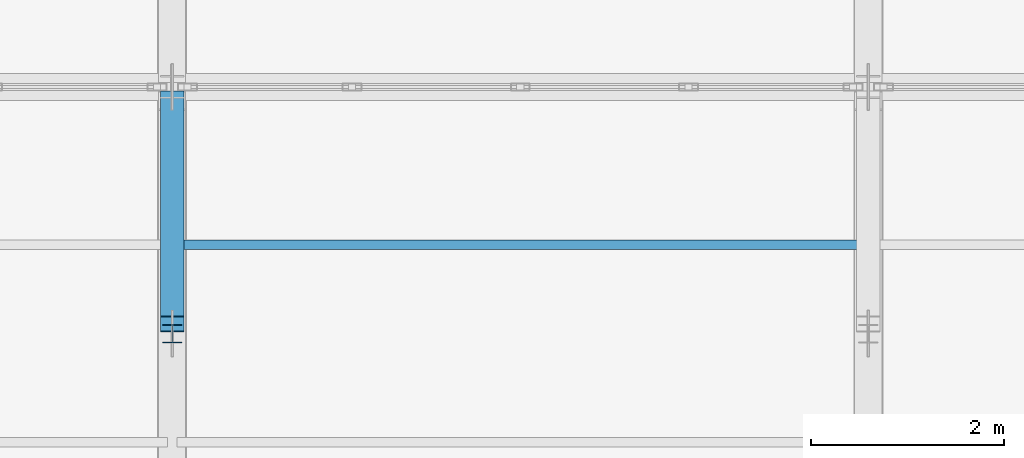
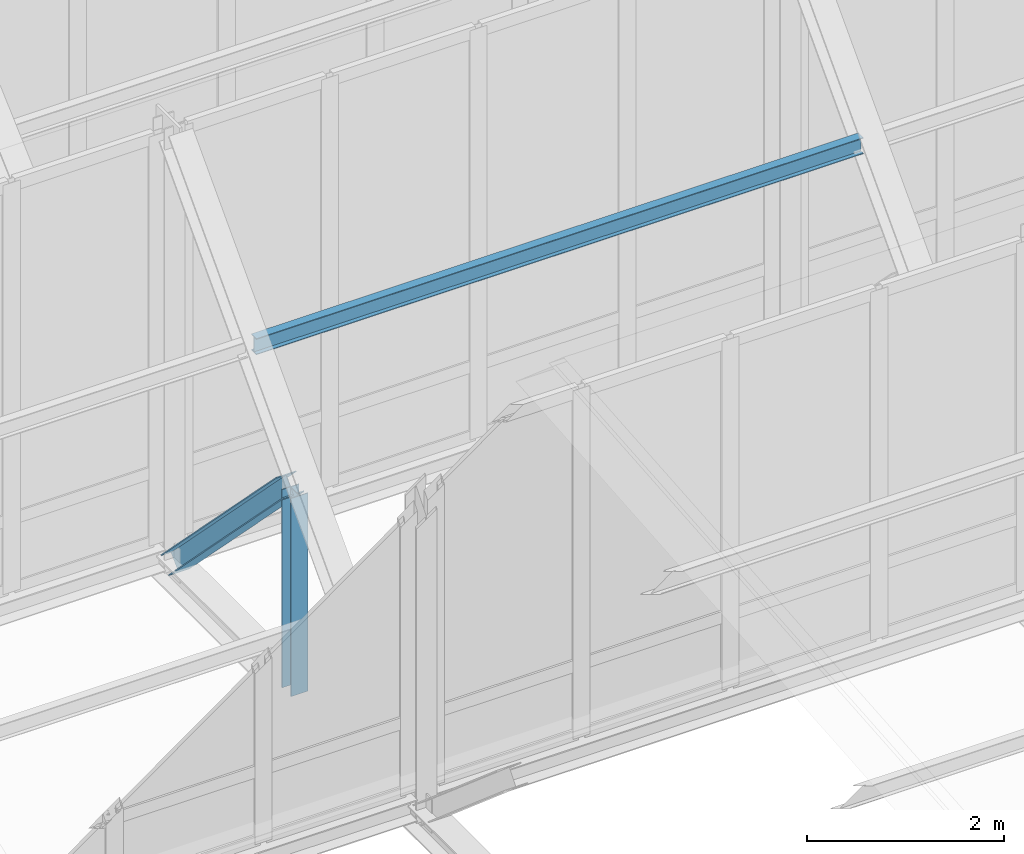
# One storey, part 50 of 157: 3 members.
"""IFC4 building model written with IfcOpenShell, lengths in metres."""

from ifc_helpers import new_model, si_unit, direction, frame, origin, origin_2d, place, context, subcontext, project, spatial, i_section, extrude, material, material_profile, profile_set, type_object, element, save


model = new_model("IFC4")

# Units and contexts
model_context = context("Model", 3, precision=1e-05, world=origin(), true_north=direction((0.0, 1.0)))
body_context = subcontext(model_context, "Body", "Model", "MODEL_VIEW")
ifc_project = project(units=[si_unit("LENGTHUNIT", "METRE"), si_unit("AREAUNIT", "SQUARE_METRE"), si_unit("VOLUMEUNIT", "CUBIC_METRE"), si_unit("PLANEANGLEUNIT", "RADIAN"), si_unit("MASSUNIT", "GRAM", prefix="KILO")], contexts=[model_context])

# Site, building, storey
site_placement = place(None, origin())
site = spatial("IfcSite", under=ifc_project, at=site_placement, CompositionType="ELEMENT")
building_placement = place(site_placement, origin())
building = spatial("IfcBuilding", under=site, at=building_placement, Name="Suanplinth Sawtooth Commons", CompositionType="ELEMENT")
storey_placement = place(building_placement, frame((0.0, 0.0, 9.0)))
storey = spatial("IfcBuildingStorey", under=building, at=storey_placement, Name="L02", CompositionType="ELEMENT", Elevation=9.0)

# Members
ifc_material_1 = material(Name="Steel S355JR", Category="steel")
ifc_material_profile_1 = material_profile(ifc_material_1, i_section(OverallWidth=0.239990234375, OverallDepth=0.22998046875, WebThickness=0.007568359375, FlangeThickness=0.011962890625, at=origin_2d()), Name="HEA 240")
ifc_profile_set_1 = profile_set([ifc_material_profile_1], Name="Steel S355JR")
member_type_1 = type_object("IfcMemberType", Name="M-03", PredefinedType="BRACE", material=ifc_profile_set_1)
member_1_placement = place(storey_placement, frame((86.39990234375, 68.35009765625, 5.1201171875), z_axis=(0.0, 0.701020432133, -0.713141187797), x_axis=(-1.0, 0.0, 0.0)))
element("IfcMember", 1, at=member_1_placement, inside=storey, type_object=member_type_1, Name="Sawtooth Truss T4 Web Diagonal 4", PredefinedType="BRACE", context=body_context, shape_type="SweptSolid", body=[
    extrude(i_section(OverallWidth=0.239990234375, OverallDepth=0.22998046875, WebThickness=0.007568359375, FlangeThickness=0.011962890625, at=origin_2d()), origin(), (0.0, 0.0, 1.0), 3.323486328125),
])
ifc_material_profile_2 = material_profile(ifc_material_1, i_section(OverallWidth=0.199951171875, OverallDepth=0.18994140625, WebThickness=0.006591796875, FlangeThickness=0.010009765625, at=origin_2d()), Name="HEA 200")
ifc_profile_set_2 = profile_set([ifc_material_profile_2], Name="Steel S355JR")
member_type_2 = type_object("IfcMemberType", Name="M-04", PredefinedType="BRACE", material=ifc_profile_set_2)
member_2_placement = place(storey_placement, frame((86.39990234375, 68.25, 2.64990234375), z_axis=(0.0, 0.0, 1.0), x_axis=(1.0, 0.0, 0.0)))
element("IfcMember", 2, at=member_2_placement, inside=storey, type_object=member_type_2, Name="Sawtooth Truss T4 Mid Web Post 4", PredefinedType="BRACE", context=body_context, shape_type="SweptSolid", body=[
    extrude(i_section(OverallWidth=0.199951171875, OverallDepth=0.18994140625, WebThickness=0.006591796875, FlangeThickness=0.010009765625, at=origin_2d()), origin(), (0.0, 0.0, 1.0), 2.4501953125),
])
ifc_material_2 = material(Name="Steel SS400", Category="steel")
ifc_material_profile_3 = material_profile(ifc_material_2, i_section(OverallWidth=0.10009765625, OverallDepth=0.199951171875, WebThickness=0.005615234375, FlangeThickness=0.008544921875, at=origin_2d()), Name="IPE 200")
ifc_profile_set_3 = profile_set([ifc_material_profile_3], Name="Steel SS400")
member_type_3 = type_object("IfcMemberType", Name="M-06", PredefinedType="PURLIN", material=ifc_profile_set_3)
member_3_placement = place(storey_placement, frame((86.449951171875, 69.16796875, 6.3388671875), z_axis=(1.0, 0.0, 0.0), x_axis=(0.0, 1.0, 0.0)))
element("IfcMember", 3, at=member_3_placement, inside=storey, type_object=member_type_3, Name="Sawtooth Roof Purlin T4-B4-P2", PredefinedType="PURLIN", context=body_context, shape_type="SweptSolid", body=[
    extrude(i_section(OverallWidth=0.10009765625, OverallDepth=0.199951171875, WebThickness=0.005615234375, FlangeThickness=0.008544921875, at=origin_2d()), origin(), (0.0, 0.0, 1.0), 7.10009765625),
])

save(model, "model.ifc")
